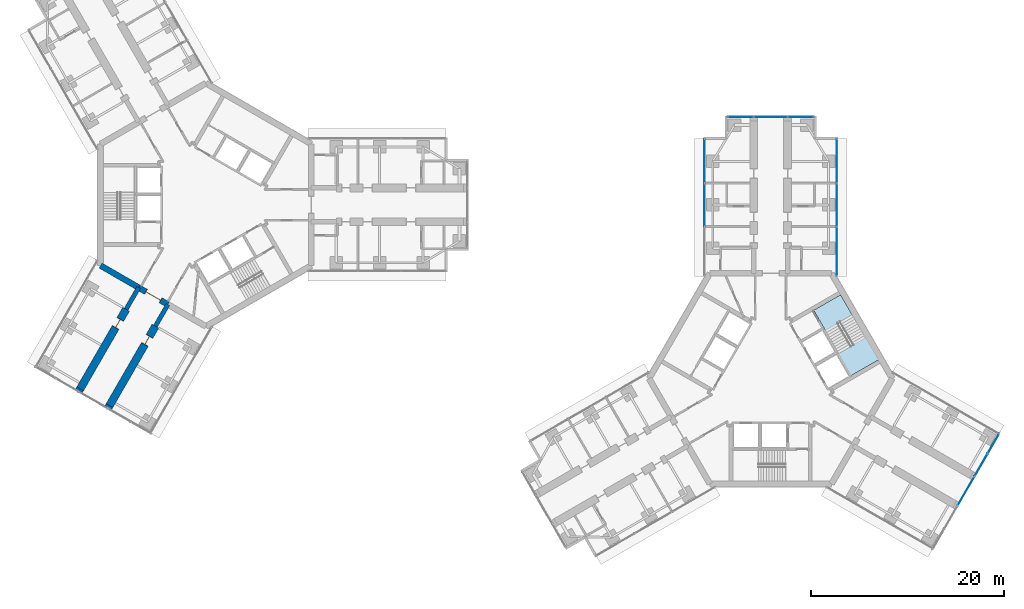
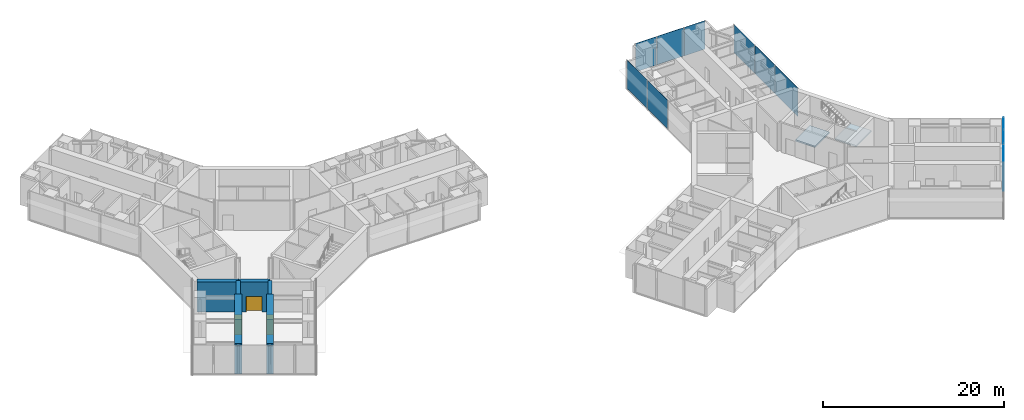
# One storey, part 14 of 22: 11 plates, 8 walls, 3 doors, 2 slabs, 3 openings, 5 elements without a shape of their own.
"""IFC4 building model written with IfcOpenShell, lengths in metres."""

import ifcopenshell
import ifcopenshell.guid

model = None  # the IFC model being written
_history = None  # IfcOwnerHistory: only IFC2X3 demands one
_inside = {}  # id of a spatial element -> (the spatial element, [elements in it])
_under = {}  # id of a project, library or spatial element -> (it, [spatial elements below it])
_declared = {}  # id of a project -> (the project, [libraries it declares])
_typed = {}  # id of a type object -> (the type object, [elements of that type])
_made_of = {}  # id of a material, layer set ... -> (it, [elements and type objects made of it])


def new_model(schema):
    """Start an empty IFC model of exactly this schema.

    Asked for "IFC4X3", IfcOpenShell would pick the latest addendum, in which some entities
    have other attributes; the version numbers below select the first issue.
    IFC2X3 requires an IfcOwnerHistory on every rooted entity: one is made here for all.
    """
    global model, _history
    if schema == "IFC4X3":
        model = ifcopenshell.file(schema_version=(4, 3, 0, 0))
    else:
        model = ifcopenshell.file(schema=schema)
    _inside.clear()
    _under.clear()
    _declared.clear()
    _typed.clear()
    _made_of.clear()
    _history = None
    if model.schema == "IFC2X3":
        org = make("IfcOrganization", Name="unknown")
        user = make(
            "IfcPersonAndOrganization",
            ThePerson=make("IfcPerson", FamilyName="unknown"),
            TheOrganization=org,
        )
        app = make(
            "IfcApplication",
            ApplicationDeveloper=org,
            Version="unknown",
            ApplicationFullName="unknown",
            ApplicationIdentifier="unknown",
        )
        _history = make(
            "IfcOwnerHistory",
            OwningUser=user,
            OwningApplication=app,
            ChangeAction="ADDED",
            CreationDate=0,
        )
    return model


def make(cls, **values):
    """One entity of the class cls with the attributes given. An attribute that is None is left unset."""
    return model.create_entity(
        cls, **{name: value for name, value in values.items() if value is not None}
    )


def rooted(cls, **values):
    """An entity with a GlobalId (a new one), such as an element, a storey or a relation."""
    return make(cls, GlobalId=ifcopenshell.guid.new(), OwnerHistory=_history, **values)


def si_unit(unit_type, name, prefix=None):
    """IfcSIUnit, for example si_unit("LENGTHUNIT", "METRE", prefix="MILLI")."""
    return make("IfcSIUnit", UnitType=unit_type, Prefix=prefix, Name=name)


def assignment(units):
    """IfcUnitAssignment: the units of a project."""
    return None if units is None else make("IfcUnitAssignment", Units=units)


def point(xyz):
    """IfcCartesianPoint."""
    return None if xyz is None else make("IfcCartesianPoint", Coordinates=xyz)


def direction(xyz):
    """IfcDirection."""
    return None if xyz is None else make("IfcDirection", DirectionRatios=xyz)


def frame(location, z_axis=None, x_axis=None):
    """IfcAxis2Placement3D, a coordinate frame: its origin and axes. An axis left out is left unset."""
    return make(
        "IfcAxis2Placement3D",
        Location=point(location),
        Axis=direction(z_axis),
        RefDirection=direction(x_axis),
    )


def frame_2d(location, x_axis=None):
    """IfcAxis2Placement2D, a coordinate frame in the plane: its origin and x axis."""
    return make(
        "IfcAxis2Placement2D", Location=point(location), RefDirection=direction(x_axis)
    )


def origin():
    """The frame at (0, 0, 0) with its axes left unset."""
    return frame((0.0, 0.0, 0.0))


def origin_2d():
    """The frame at (0, 0) in the plane with its x axis left unset."""
    return frame_2d((0.0, 0.0))


def place(relative_to, where):
    """IfcLocalPlacement: puts the frame where relative to a parent placement (None: the world)."""
    return make(
        "IfcLocalPlacement", PlacementRelTo=relative_to, RelativePlacement=where
    )


def context(
    kind, dimensions, precision=None, world=None, true_north=None, identifier=None
):
    """IfcGeometricRepresentationContext, for example the 3D "Model" context."""
    return make(
        "IfcGeometricRepresentationContext",
        ContextIdentifier=identifier,
        ContextType=kind,
        CoordinateSpaceDimension=dimensions,
        Precision=precision,
        WorldCoordinateSystem=world,
        TrueNorth=true_north,
    )


def subcontext(parent, identifier, kind, view, scale=None):
    """IfcGeometricRepresentationSubContext, for example "Body" below "Model"."""
    return make(
        "IfcGeometricRepresentationSubContext",
        ContextIdentifier=identifier,
        ContextType=kind,
        ParentContext=parent,
        TargetScale=scale,
        TargetView=view,
    )


def project(units=None, contexts=None):
    """IfcProject with its units and contexts."""
    return rooted(
        "IfcProject",
        Name="project",
        RepresentationContexts=contexts,
        UnitsInContext=assignment(units),
    )


def spatial(cls, under=None, at=None, **own):
    """A site, building, storey or space (cls), placed at a placement, below another one or the project."""
    s = rooted(cls, ObjectPlacement=at, **own)
    if under is not None:
        _under.setdefault(under.id(), (under, []))[1].append(s)
    return s


def polyline(points):
    """IfcPolyline through the points."""
    return make("IfcPolyline", Points=[point(p) for p in points])


def profile(cls, at=None, kind="AREA", **sizes):
    """A parametric profile (cls). Its sizes go by their IFC names, for example OverallWidth=200.0."""
    return make(cls, ProfileType=kind, Position=at, **sizes)


def rectangle(**sizes):
    """IfcRectangleProfileDef."""
    return profile("IfcRectangleProfileDef", **sizes)


def outline(outer, holes=None, kind="AREA"):
    """IfcArbitraryClosedProfileDef: a profile drawn as a closed curve; with holes, ...WithVoids."""
    if holes is None:
        return make("IfcArbitraryClosedProfileDef", ProfileType=kind, OuterCurve=outer)
    return make(
        "IfcArbitraryProfileDefWithVoids",
        ProfileType=kind,
        OuterCurve=outer,
        InnerCurves=holes,
    )


def extrude(swept, where, along, depth):
    """IfcExtrudedAreaSolid: the profile swept, set in the frame where, extruded along a direction by depth."""
    return make(
        "IfcExtrudedAreaSolid",
        SweptArea=swept,
        Position=where,
        ExtrudedDirection=direction(along),
        Depth=depth,
    )


def shape(context_of_items, identifier, shape_type, items):
    """IfcShapeRepresentation: the items that make up one representation, for example the "Body"."""
    return make(
        "IfcShapeRepresentation",
        ContextOfItems=context_of_items,
        RepresentationIdentifier=identifier,
        RepresentationType=shape_type,
        Items=items,
    )


def material(Name=None, Category=None):
    """IfcMaterial."""
    return make("IfcMaterial", Name=Name, Category=Category)


def layer(
    of_material, thickness, ventilated=None, Name=None, Category=None, Priority=None
):
    """IfcMaterialLayer: one layer of a wall or slab, of a material (None: an air gap)."""
    return make(
        "IfcMaterialLayer",
        Material=of_material,
        LayerThickness=thickness,
        IsVentilated=ventilated,
        Name=Name,
        Category=Category,
        Priority=Priority,
    )


def layer_set(layers, Name=None):
    """IfcMaterialLayerSet."""
    return make("IfcMaterialLayerSet", MaterialLayers=layers, LayerSetName=Name)


def made_of(thing, what):
    """Note that an element or type object is made of a material, layer set ...; save() writes the relation."""
    if what is not None:
        _made_of.setdefault(what.id(), (what, []))[1].append(thing)
    return thing


def type_object(cls, material=None, **own):
    """A type object (cls), such as IfcWallType, which elements share."""
    return made_of(rooted(cls, **own), material)


def element(
    cls,
    number,
    at=None,
    inside=None,
    cuts=None,
    type_object=None,
    material=None,
    context=None,
    identifier="Body",
    shape_type=None,
    held_by="IfcProductDefinitionShape",
    body=None,
    shapes=None,
    **own,
):
    """One element of the class cls, such as IfcWall. Its Tag is "e" and its number.

    at: its placement. inside: the storey or other place that contains it. cuts: it is an
    opening in that element (IfcRelVoidsElement). A single representation is given by context,
    identifier, shape_type and body (its items); several are given by shapes. held_by: the class
    of the entity that holds the representations. save() writes the other relations.
    """
    e = rooted(cls, Tag="e%d" % number, ObjectPlacement=at, **own)
    if body is not None:
        shapes = [shape(context, identifier, shape_type, body)]
    if shapes is not None:
        e.Representation = make(held_by, Representations=shapes)
    if inside is not None:
        _inside.setdefault(inside.id(), (inside, []))[1].append(e)
    if cuts is not None:
        rooted(
            "IfcRelVoidsElement", RelatingBuildingElement=cuts, RelatedOpeningElement=e
        )
    if type_object is not None:
        _typed.setdefault(type_object.id(), (type_object, []))[1].append(e)
    return made_of(e, material)


def fill(opening, filler):
    """IfcRelFillsElement: the door or window that sits in an opening."""
    return rooted(
        "IfcRelFillsElement",
        RelatingOpeningElement=opening,
        RelatedBuildingElement=filler,
    )


def aggregate(whole, parts):
    """IfcRelAggregates: a whole, such as a stair, and the parts it consists of."""
    return rooted("IfcRelAggregates", RelatingObject=whole, RelatedObjects=parts)


def save(model, path):
    """Write the relations noted so far, then the file.

    IfcRelAggregates (storeys below a building ...), IfcRelContainedInSpatialStructure (elements
    in a storey), IfcRelDefinesByType, IfcRelAssociatesMaterial and IfcRelDeclares: one each for
    every whole, place, type object, material and project.
    """
    for whole, parts in _under.values():
        aggregate(whole, parts)
    for where, things in _inside.values():
        rooted(
            "IfcRelContainedInSpatialStructure",
            RelatedElements=things,
            RelatingStructure=where,
        )
    for kind, things in _typed.values():
        rooted("IfcRelDefinesByType", RelatedObjects=things, RelatingType=kind)
    for what, things in _made_of.values():
        rooted("IfcRelAssociatesMaterial", RelatedObjects=things, RelatingMaterial=what)
    for by, libraries in _declared.values():
        rooted("IfcRelDeclares", RelatingContext=by, RelatedDefinitions=libraries)
    model.write(path)


model = new_model("IFC4")

# Units and contexts
model_context = context("Model", 3, precision=1e-05, world=origin(), true_north=direction((0.0, 1.0)))
body_context = subcontext(model_context, "Body", "Model", "MODEL_VIEW")
ifc_project = project(units=[si_unit("LENGTHUNIT", "METRE"), si_unit("AREAUNIT", "SQUARE_METRE"), si_unit("VOLUMEUNIT", "CUBIC_METRE"), si_unit("PLANEANGLEUNIT", "RADIAN"), si_unit("MASSUNIT", "GRAM", prefix="KILO")], contexts=[model_context])

# Site, building, storey
site_placement = place(None, origin())
site = spatial("IfcSite", under=ifc_project, at=site_placement, CompositionType="ELEMENT")
building_placement = place(site_placement, origin())
building = spatial("IfcBuilding", under=site, at=building_placement, Name="Upepo Twin Towers", CompositionType="ELEMENT")
storey_placement = place(building_placement, frame((0.0, 0.0, 129.5)))
storey = spatial("IfcBuildingStorey", under=building, at=storey_placement, Name="L31", CompositionType="ELEMENT", Elevation=129.5)

# Curtain wall, plates
ifc_material_1 = material(Name="Aluminium and fritted glass", Category="aluminium")
curtain_wall_type = type_object("IfcCurtainWallType", Name="Tower curtain wall TW2, fritted glass", PredefinedType="NOTDEFINED", material=ifc_material_1)
curtain_wall_1_placement = place(storey_placement, origin())
curtain_wall_1 = element("IfcCurtainWall", 1, at=curtain_wall_1_placement, inside=storey, type_object=curtain_wall_type, Name="T2 L31 wing A flank L curtain wall", PredefinedType="NOTDEFINED")
ifc_material_2 = material(Name="Ceramic-fritted laminated glass", Category="glass")
ifc_layer_1 = layer(ifc_material_2, 0.031982421875)
ifc_layer_set_1 = layer_set([ifc_layer_1], Name="Fritted glass panel, 40 per cent dot frit, 32 mm double glazed")
plate_type_1 = type_object("IfcPlateType", Name="Fritted glass panel, 40 per cent dot frit, 32 mm double glazed", PredefinedType="CURTAIN_PANEL", material=ifc_layer_set_1)
plate_1_placement = place(storey_placement, frame((51.64990234375, 0.0, 0.14990234375), z_axis=(0.0, 0.0, 1.0), x_axis=(0.0, 1.0, 0.0)))
plate_1 = element("IfcPlate", 2, at=plate_1_placement, type_object=plate_type_1, Name="T2 L31 wing A flank L curtain wall panel 2", PredefinedType="CURTAIN_PANEL", context=body_context, shape_type="SweptSolid", body=[
    extrude(rectangle(XDim=4.43505859375, YDim=0.031982421875, at=origin_2d()), origin(), (0.0, 0.0, 1.0), 3.85009765625),
])
plate_2_placement = place(storey_placement, frame((51.64990234375, 4.53369140625, 0.14990234375), z_axis=(0.0, 0.0, 1.0), x_axis=(0.0, 1.0, 0.0)))
plate_2 = element("IfcPlate", 3, at=plate_2_placement, type_object=plate_type_1, Name="T2 L31 wing A flank L curtain wall panel 3", PredefinedType="CURTAIN_PANEL", context=body_context, shape_type="SweptSolid", body=[
    extrude(rectangle(XDim=4.50244140625, YDim=0.031982421875, at=origin_2d()), origin(), (0.0, 0.0, 1.0), 3.85009765625),
])
aggregate(curtain_wall_1, [plate_1, plate_2])

curtain_wall_2_placement = place(storey_placement, origin())
curtain_wall_2 = element("IfcCurtainWall", 4, at=curtain_wall_2_placement, inside=storey, type_object=curtain_wall_type, Name="T2 L31 wing A flank R curtain wall", PredefinedType="NOTDEFINED")
plate_3_placement = place(storey_placement, frame((65.35009765625, 4.53369140625, 0.14990234375), z_axis=(0.0, 0.0, 1.0), x_axis=(0.0, -1.0, 0.0)))
plate_3 = element("IfcPlate", 5, at=plate_3_placement, type_object=plate_type_1, Name="T2 L31 wing A flank R curtain wall panel 1", PredefinedType="CURTAIN_PANEL", context=body_context, shape_type="SweptSolid", body=[
    extrude(rectangle(XDim=4.50244140625, YDim=0.031982421875, at=origin_2d()), origin(), (0.0, 0.0, 1.0), 3.85009765625),
])
plate_4_placement = place(storey_placement, frame((65.35009765625, 0.0, 0.14990234375), z_axis=(0.0, 0.0, 1.0), x_axis=(0.0, -1.0, 0.0)))
plate_4 = element("IfcPlate", 6, at=plate_4_placement, type_object=plate_type_1, Name="T2 L31 wing A flank R curtain wall panel 2", PredefinedType="CURTAIN_PANEL", context=body_context, shape_type="SweptSolid", body=[
    extrude(rectangle(XDim=4.43505859375, YDim=0.031982421875, at=origin_2d()), origin(), (0.0, 0.0, 1.0), 3.85009765625),
])
plate_5_placement = place(storey_placement, frame((65.35009765625, -4.815185546875, 0.14990234375), z_axis=(0.0, 0.0, 1.0), x_axis=(0.0, -1.0, 0.0)))
plate_5 = element("IfcPlate", 7, at=plate_5_placement, type_object=plate_type_1, Name="T2 L31 wing A flank R curtain wall panel 3", PredefinedType="CURTAIN_PANEL", context=body_context, shape_type="SweptSolid", body=[
    extrude(rectangle(XDim=5.0654296875, YDim=0.031982421875, at=origin_2d()), origin(), (0.0, 0.0, 1.0), 3.85009765625),
])
aggregate(curtain_wall_2, [plate_3, plate_4, plate_5])

# Curtain wall, plate
curtain_wall_3_placement = place(storey_placement, origin())
curtain_wall_3 = element("IfcCurtainWall", 8, at=curtain_wall_3_placement, inside=storey, type_object=curtain_wall_type, Name="T2 L31 wing A nose curtain wall", PredefinedType="NOTDEFINED")
plate_6_placement = place(storey_placement, frame((58.5, 9.10009765625, 0.14990234375), z_axis=(0.0, 0.0, 1.0), x_axis=(-1.0, 0.0, 0.0)))
plate_6 = element("IfcPlate", 9, at=plate_6_placement, type_object=plate_type_1, Name="T2 L31 wing A nose curtain wall panel 2", PredefinedType="CURTAIN_PANEL", context=body_context, shape_type="SweptSolid", body=[
    extrude(rectangle(XDim=3.43505859375, YDim=0.031982421875, at=origin_2d()), origin(), (0.0, 0.0, 1.0), 3.85009765625),
])

# Curtain wall, plates
curtain_wall_4_placement = place(storey_placement, origin())
curtain_wall_4 = element("IfcCurtainWall", 10, at=curtain_wall_4_placement, inside=storey, type_object=curtain_wall_type, Name="T2 L31 wing C nose curtain wall", PredefinedType="NOTDEFINED")
plate_7_placement = place(storey_placement, frame((78.7216796875, -29.675048828125, 0.14990234375), z_axis=(0.0, 0.0, 1.0), x_axis=(0.499999972355, 0.866025419745, 0.0)))
plate_7 = element("IfcPlate", 11, at=plate_7_placement, type_object=plate_type_1, Name="T2 L31 wing C nose curtain wall panel 3", PredefinedType="CURTAIN_PANEL", context=body_context, shape_type="SweptSolid", body=[
    extrude(rectangle(XDim=3.43505859375, YDim=0.031982421875, at=origin_2d()), origin(), (0.0, 0.0, 1.0), 3.85009765625),
])
plate_8_placement = place(storey_placement, frame((80.2841796875, -26.96875, 0.14990234375), z_axis=(0.0, 0.0, 1.0), x_axis=(0.499999972355, 0.866025419745, 0.0)))
plate_8 = element("IfcPlate", 12, at=plate_8_placement, type_object=plate_type_1, Name="T2 L31 wing C nose curtain wall panel 4", PredefinedType="CURTAIN_PANEL", context=body_context, shape_type="SweptSolid", body=[
    extrude(rectangle(XDim=2.68505859375, YDim=0.031982421875, at=origin_2d()), origin(), (0.0, 0.0, 1.0), 3.85009765625),
])

# Plate
ifc_material_3 = material(Name="Clear laminated glass in opening sash", Category="glass")
ifc_layer_2 = layer(ifc_material_3, 0.031982421875)
ifc_layer_set_2 = layer_set([ifc_layer_2], Name="Operable glass panel, 32 mm double glazed")
plate_type_2 = type_object("IfcPlateType", Name="Operable glass panel, 32 mm double glazed", PredefinedType="CURTAIN_PANEL", material=ifc_layer_set_2)
plate_9_placement = place(storey_placement, frame((61.608642578125, 9.10009765625, 0.14990234375), z_axis=(0.0, 0.0, 1.0), x_axis=(-1.0, 0.0, 0.0)))
plate_9 = element("IfcPlate", 13, at=plate_9_placement, type_object=plate_type_2, Name="T2 L31 wing A nose curtain wall panel 1", PredefinedType="CURTAIN_PANEL", context=body_context, shape_type="SweptSolid", body=[
    extrude(rectangle(XDim=2.652587890625, YDim=0.031982421875, at=origin_2d()), origin(), (0.0, 0.0, 1.0), 3.85009765625),
])

plate_10_placement = place(storey_placement, frame((55.391357421875, 9.10009765625, 0.14990234375), z_axis=(0.0, 0.0, 1.0), x_axis=(-1.0, 0.0, 0.0)))
plate_10 = element("IfcPlate", 14, at=plate_10_placement, type_object=plate_type_2, Name="T2 L31 wing A nose curtain wall panel 3", PredefinedType="CURTAIN_PANEL", context=body_context, shape_type="SweptSolid", body=[
    extrude(rectangle(XDim=2.652587890625, YDim=0.031982421875, at=origin_2d()), origin(), (0.0, 0.0, 1.0), 3.85009765625),
])

aggregate(curtain_wall_3, [plate_9, plate_6, plate_10])

plate_11_placement = place(storey_placement, frame((81.576171875, -24.73095703125, 0.14990234375), z_axis=(0.0, 0.0, 1.0), x_axis=(0.499999972355, 0.866025419745, 0.0)))
plate_11 = element("IfcPlate", 15, at=plate_11_placement, type_object=plate_type_2, Name="T2 L31 wing C nose curtain wall panel 5", PredefinedType="CURTAIN_PANEL", context=body_context, shape_type="SweptSolid", body=[
    extrude(rectangle(XDim=2.3525390625, YDim=0.031982421875, at=origin_2d()), origin(), (0.0, 0.0, 1.0), 3.85009765625),
])

aggregate(curtain_wall_4, [plate_7, plate_8, plate_11])

# Stair, slabs
ifc_material_4 = material(Name="Concrete C40/50", Category="concrete")
stair_type = type_object("IfcStairType", Name="Core stair, two flights", PredefinedType="HALF_TURN_STAIR", material=ifc_material_4)
stair_placement = place(storey_placement, origin())
stair = element("IfcStair", 16, at=stair_placement, inside=storey, type_object=stair_type, Name="T2 stair S2 L31", PredefinedType="HALF_TURN_STAIR")
ifc_material_5 = material(Name="Concrete C40/50", Category="concrete")
ifc_layer_3 = layer(ifc_material_5, 0.199951171875)
ifc_layer_set_3 = layer_set([ifc_layer_3], Name="Concrete C40/50")
slab_type = type_object("IfcSlabType", Name="Stair landing 200 RC", PredefinedType="LANDING", material=ifc_layer_set_3)
slab_1_placement = place(storey_placement, frame((0.0, 0.0, -0.199951171875)))
slab_1 = element("IfcSlab", 17, at=slab_1_placement, type_object=slab_type, Name="Stair S2 landing 1", PredefinedType="LANDING", context=body_context, shape_type="SweptSolid", body=[
    extrude(outline(polyline([(64.198486328125, -13.0703125), (66.97705078125, -11.466064453125), (65.737060546875, -9.318359375), (62.95849609375, -10.922607421875), (64.198486328125, -13.0703125)])), origin(), (0.0, 0.0, 1.0), 0.199951171875),
])
slab_2_placement = place(storey_placement, frame((0.0, 0.0, 1.800048828125)))
slab_2 = element("IfcSlab", 18, at=slab_2_placement, type_object=slab_type, Name="Stair S2 landing 2", PredefinedType="LANDING", context=body_context, shape_type="SweptSolid", body=[
    extrude(outline(polyline([(66.77197265625, -17.7275390625), (69.7236328125, -16.0234375), (68.36376953125, -13.667724609375), (65.411865234375, -15.371826171875), (66.77197265625, -17.7275390625)])), origin(), (0.0, 0.0, 1.0), 0.199951171875),
])
aggregate(stair, [slab_1, slab_2])

# Walls
ifc_material_6 = material(Name="Dense concrete blockwork", Category="masonry")
ifc_layer_4 = layer(ifc_material_6, 0.800048828125)
ifc_layer_set_4 = layer_set([ifc_layer_4], Name="Buttress closer 800, blockwork with fire-stopping to the curtain wall")
wall_type_1 = type_object("IfcWallType", Name="Buttress closer 800, blockwork with fire-stopping to the curtain wall", PredefinedType="PARTITIONING", material=ifc_layer_set_4)
for number, where, z_axis, x_axis, name in (
    (19, (-9.984375, -20.793701171875, 0.0), (0.0, 0.0, 1.0), (-0.500342721131, -0.865827443207, 0.0), "T1 L31 wing C buttress closer L"),
    (20, (-13.015625, -19.043701171875, 0.0), (0.0, 0.0, 1.0), (-0.500342721131, -0.865827443207, 0.0), "T1 L31 wing C buttress closer R"),
):
    element("IfcWall", number, at=place(storey_placement, frame(where, z_axis=z_axis, x_axis=x_axis)), inside=storey, type_object=wall_type_1, Name=name, PredefinedType="PARTITIONING", context=body_context, shape_type="SweptSolid", body=[
        extrude(rectangle(XDim=0.249755859375, YDim=0.800048828125, at=frame_2d((0.125, 0.0))), origin(), (0.0, 0.0, 1.0), 3.800048828125),
    ])
ifc_material_7 = material(Name="Concrete C60/75", Category="concrete")
ifc_layer_5 = layer(ifc_material_7, 0.449951171875)
ifc_layer_set_5 = layer_set([ifc_layer_5], Name="Concrete C60/75")
wall_type_2 = type_object("IfcWallType", Name="Buttress wall 450 RC", PredefinedType="SHEAR", material=ifc_layer_set_5)
for number, where, z_axis, x_axis, name in (
    (21, (-3.938720703125, -10.32177734375, 0.0), (0.0, 0.0, 1.0), (-0.499918158782, -0.866072649678, 0.0), "T1 wing C buttress wall L"),
    (22, (-6.9697265625, -8.57177734375, 0.0), (0.0, 0.0, 1.0), (-0.499988811324, -0.866031863473, 0.0), "T1 wing C buttress wall R"),
):
    element("IfcWall", number, at=place(storey_placement, frame(where, z_axis=z_axis, x_axis=x_axis)), inside=storey, type_object=wall_type_2, Name=name, PredefinedType="SHEAR", context=body_context, shape_type="SweptSolid", body=[
        extrude(rectangle(XDim=2.591796875, YDim=0.449951171875, at=frame_2d((1.2958984375, 0.0))), origin(), (0.0, 0.0, 1.0), 4.0),
    ])

# Wall, opening, door
ifc_material_8 = material(Name="Concrete C60/75", Category="concrete")
ifc_layer_6 = layer(ifc_material_8, 0.800048828125)
ifc_layer_set_6 = layer_set([ifc_layer_6], Name="Concrete C60/75")
wall_type_3 = type_object("IfcWallType", Name="Buttress wall 800 RC", PredefinedType="SHEAR", material=ifc_layer_set_6)
wall_1_placement = place(storey_placement, frame((-5.234375, -12.56640625, 0.0), z_axis=(0.0, 0.0, 1.0), x_axis=(-0.499997557548, -0.86602681393, 0.0)))
wall_1 = element("IfcWall", 23, at=wall_1_placement, inside=storey, type_object=wall_type_3, Name="T1 wing C buttress wall L part 2", PredefinedType="SHEAR", context=body_context, shape_type="SweptSolid", body=[
    extrude(rectangle(XDim=9.5, YDim=0.800048828125, at=frame_2d((4.75, 0.0))), origin(), (0.0, 0.0, 1.0), 4.0),
])
opening_1_placement = place(wall_1_placement, frame((1.199951171875, 0.0, 0.0)))
opening_1 = element("IfcOpeningElement", 24, at=opening_1_placement, cuts=wall_1, Name="Opening D1", PredefinedType="OPENING", context=body_context, shape_type="SweptSolid", body=[
    extrude(rectangle(XDim=1.0, YDim=2.10009765625, at=frame_2d((0.5, 1.050048828125))), frame((0.0, 0.409912109375, 0.0), z_axis=(0.0, -1.0, 0.0), x_axis=(1.0, 0.0, 0.0)), (0.0, 0.0, 1.0), 0.820068359375),
])
ifc_material_9 = material(Name="Timber doorset", Category="wood")
door_type_1 = type_object("IfcDoorType", Name="Room door 1000 FD30", OperationType="SINGLE_SWING_LEFT", PredefinedType="DOOR", material=ifc_material_9)
door_1_placement = place(opening_1_placement, origin())
door_1 = element("IfcDoor", 25, at=door_1_placement, inside=storey, type_object=door_type_1, Name="T1 L31 postgraduate office door", OperationType="SINGLE_SWING_LEFT", OverallHeight=2.10009765625, OverallWidth=1.0, PredefinedType="DOOR", context=body_context, shape_type="SweptSolid", body=[
    extrude(rectangle(XDim=0.92, YDim=2.06009765625, at=frame_2d((0.5, 1.030029296875))), frame((0.0, 0.02490234375, 0.0), z_axis=(0.0, -1.0, 0.0), x_axis=(1.0, 0.0, 0.0)), (0.0, 0.0, 1.0), 0.050048828125),
    extrude(rectangle(XDim=0.04, YDim=2.10009765625, at=frame_2d((0.02001953125, 1.050048828125))), frame((0.0, 0.39990234375, 0.0), z_axis=(0.0, -1.0, 0.0), x_axis=(1.0, 0.0, 0.0)), (0.0, 0.0, 1.0), 0.799560546875),
    extrude(rectangle(XDim=0.04, YDim=2.10009765625, at=frame_2d((0.97998046875, 1.050048828125))), frame((0.0, 0.39990234375, 0.0), z_axis=(0.0, -1.0, 0.0), x_axis=(1.0, 0.0, 0.0)), (0.0, 0.0, 1.0), 0.799560546875),
    extrude(rectangle(XDim=0.92, YDim=0.04, at=frame_2d((0.5, 2.080078125))), frame((0.0, 0.39990234375, 0.0), z_axis=(0.0, -1.0, 0.0), x_axis=(1.0, 0.0, 0.0)), (0.0, 0.0, 1.0), 0.799560546875),
])
fill(opening_1, door_1)

wall_2_placement = place(storey_placement, frame((-8.265625, -10.81640625, 0.0), z_axis=(0.0, 0.0, 1.0), x_axis=(-0.499997557548, -0.86602681393, 0.0)))
wall_2 = element("IfcWall", 26, at=wall_2_placement, inside=storey, type_object=wall_type_3, Name="T1 wing C buttress wall R part 2", PredefinedType="SHEAR", context=body_context, shape_type="SweptSolid", body=[
    extrude(rectangle(XDim=9.5, YDim=0.800048828125, at=frame_2d((4.75, 0.0))), origin(), (0.0, 0.0, 1.0), 4.0),
])
opening_2_placement = place(wall_2_placement, frame((1.199951171875, 0.0, 0.0)))
opening_2 = element("IfcOpeningElement", 27, at=opening_2_placement, cuts=wall_2, Name="Opening D1", PredefinedType="OPENING", context=body_context, shape_type="SweptSolid", body=[
    extrude(rectangle(XDim=1.0, YDim=2.10009765625, at=frame_2d((0.5, 1.050048828125))), frame((0.0, 0.409912109375, 0.0), z_axis=(0.0, -1.0, 0.0), x_axis=(1.0, 0.0, 0.0)), (0.0, 0.0, 1.0), 0.820068359375),
])
door_2_placement = place(opening_2_placement, origin())
door_2 = element("IfcDoor", 28, at=door_2_placement, inside=storey, type_object=door_type_1, Name="T1 L31 postgraduate office door", OperationType="SINGLE_SWING_LEFT", OverallHeight=2.10009765625, OverallWidth=1.0, PredefinedType="DOOR", context=body_context, shape_type="SweptSolid", body=[
    extrude(rectangle(XDim=0.92, YDim=2.06009765625, at=frame_2d((0.5, 1.030029296875))), frame((0.0, 0.02490234375, 0.0), z_axis=(0.0, -1.0, 0.0), x_axis=(1.0, 0.0, 0.0)), (0.0, 0.0, 1.0), 0.050048828125),
    extrude(rectangle(XDim=0.04, YDim=2.10009765625, at=frame_2d((0.02001953125, 1.050048828125))), frame((0.0, 0.39990234375, 0.0), z_axis=(0.0, -1.0, 0.0), x_axis=(1.0, 0.0, 0.0)), (0.0, 0.0, 1.0), 0.799560546875),
    extrude(rectangle(XDim=0.04, YDim=2.10009765625, at=frame_2d((0.97998046875, 1.050048828125))), frame((0.0, 0.39990234375, 0.0), z_axis=(0.0, -1.0, 0.0), x_axis=(1.0, 0.0, 0.0)), (0.0, 0.0, 1.0), 0.799560546875),
    extrude(rectangle(XDim=0.92, YDim=0.04, at=frame_2d((0.5, 2.080078125))), frame((0.0, 0.39990234375, 0.0), z_axis=(0.0, -1.0, 0.0), x_axis=(1.0, 0.0, 0.0)), (0.0, 0.0, 1.0), 0.799560546875),
])
fill(opening_2, door_2)

# Wall
ifc_material_10 = material(Name="Concrete C60/75", Category="concrete")
ifc_layer_7 = layer(ifc_material_10, 0.60009765625)
ifc_layer_set_7 = layer_set([ifc_layer_7], Name="Concrete C60/75")
wall_type_4 = type_object("IfcWallType", Name="Core wall 600 RC", PredefinedType="SHEAR", material=ifc_layer_set_7)
wall_3_placement = place(storey_placement, frame((-10.908447265625, -6.2978515625, 0.0), z_axis=(0.0, 0.0, 1.0), x_axis=(0.866034513004, -0.499984222037, 0.0)))
element("IfcWall", 29, at=wall_3_placement, inside=storey, type_object=wall_type_4, Name="T1 core wall 240 R", PredefinedType="SHEAR", context=body_context, shape_type="SweptSolid", body=[
    extrude(rectangle(XDim=4.548095703125, YDim=0.60009765625, at=frame_2d((2.27392578125, 0.0))), origin(), (0.0, 0.0, 1.0), 4.0),
])

# Wall, opening, door
wall_4_placement = place(storey_placement, frame((-6.9697265625, -8.57177734375, 0.0), z_axis=(0.0, 0.0, 1.0), x_axis=(0.866019471182, -0.500010275428, 0.0)))
wall_4 = element("IfcWall", 30, at=wall_4_placement, inside=storey, type_object=wall_type_4, Name="T1 core wall 240", PredefinedType="SHEAR", context=body_context, shape_type="SweptSolid", body=[
    extrude(rectangle(XDim=3.5, YDim=0.60009765625, at=frame_2d((1.75, 0.0))), origin(), (0.0, 0.0, 1.0), 4.0),
])
opening_3_placement = place(wall_4_placement, frame((0.85009765625, 0.0, 0.0)))
opening_3 = element("IfcOpeningElement", 31, at=opening_3_placement, cuts=wall_4, Name="Opening D2", PredefinedType="OPENING", context=body_context, shape_type="SweptSolid", body=[
    extrude(rectangle(XDim=1.800048828125, YDim=2.10009765625, at=frame_2d((0.89990234375, 1.050048828125))), frame((0.0, 0.31005859375, 0.0), z_axis=(0.0, -1.0, 0.0), x_axis=(1.0, 0.0, 0.0)), (0.0, 0.0, 1.0), 0.6201171875),
])
ifc_material_11 = material(Name="Timber doorset", Category="wood")
door_type_2 = type_object("IfcDoorType", Name="Corridor double door 1800 FD60", OperationType="DOUBLE_DOOR_DOUBLE_SWING", PredefinedType="DOOR", material=ifc_material_11)
door_3_placement = place(opening_3_placement, origin())
door_3 = element("IfcDoor", 32, at=door_3_placement, inside=storey, type_object=door_type_2, Name="T1 L31 wing C corridor door", OperationType="DOUBLE_DOOR_DOUBLE_SWING", OverallHeight=2.10009765625, OverallWidth=1.800048828125, PredefinedType="DOOR", context=body_context, shape_type="SweptSolid", body=[
    extrude(rectangle(XDim=1.720048828125, YDim=2.06009765625, at=frame_2d((0.89990234375, 1.030029296875))), frame((0.0, 0.02490234375, 0.0), z_axis=(0.0, -1.0, 0.0), x_axis=(1.0, 0.0, 0.0)), (0.0, 0.0, 1.0), 0.050048828125),
    extrude(rectangle(XDim=0.04, YDim=2.10009765625, at=frame_2d((0.02001953125, 1.050048828125))), frame((0.0, 0.2998046875, 0.0), z_axis=(0.0, -1.0, 0.0), x_axis=(1.0, 0.0, 0.0)), (0.0, 0.0, 1.0), 0.599609375),
    extrude(rectangle(XDim=0.04, YDim=2.10009765625, at=frame_2d((1.780029296875, 1.050048828125))), frame((0.0, 0.2998046875, 0.0), z_axis=(0.0, -1.0, 0.0), x_axis=(1.0, 0.0, 0.0)), (0.0, 0.0, 1.0), 0.599609375),
    extrude(rectangle(XDim=1.720048828125, YDim=0.04, at=frame_2d((0.89990234375, 2.080078125))), frame((0.0, 0.2998046875, 0.0), z_axis=(0.0, -1.0, 0.0), x_axis=(1.0, 0.0, 0.0)), (0.0, 0.0, 1.0), 0.599609375),
])
fill(opening_3, door_3)

save(model, "model.ifc")
